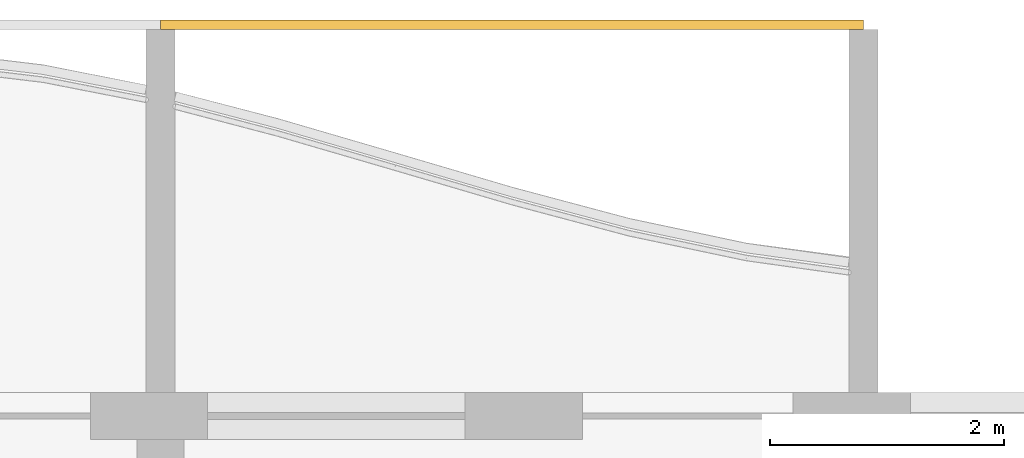
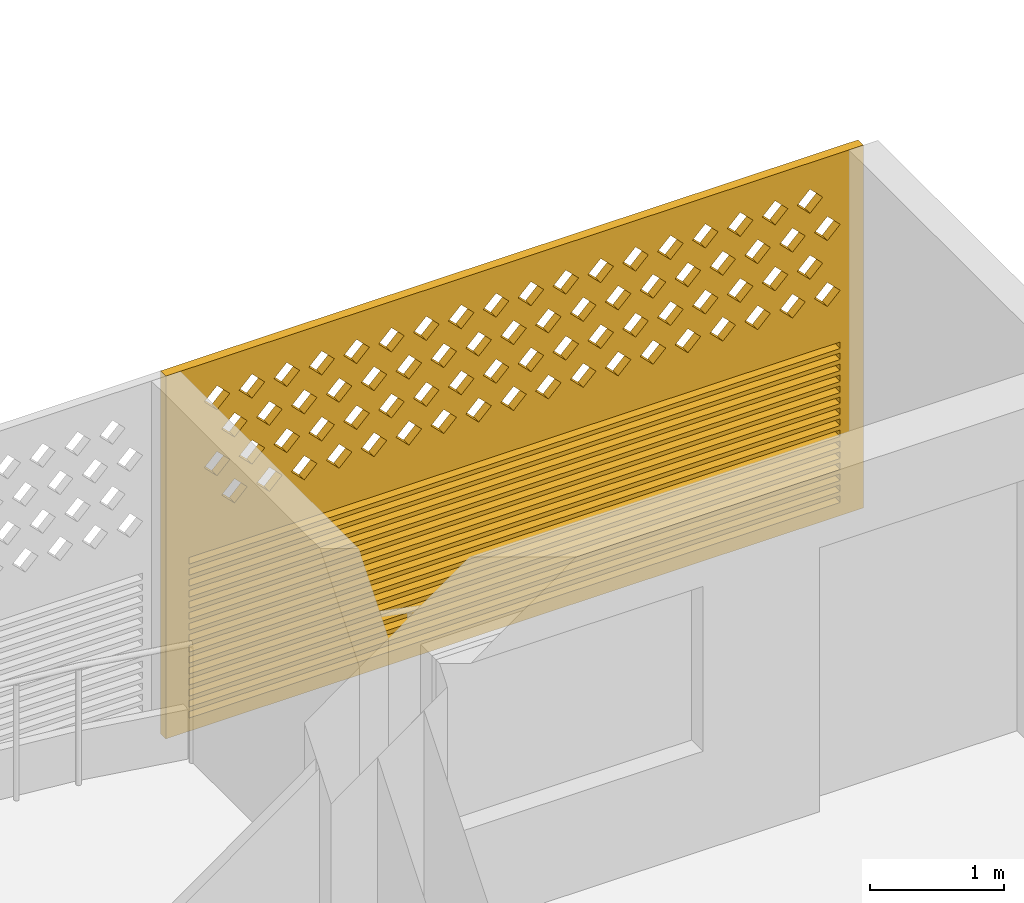
# One storey, part 23 of 40: 1 covering.
"""IFC4 building model written with IfcOpenShell, lengths in metres."""

from ifc_helpers import new_model, si_unit, direction, frame, origin, place, context, subcontext, project, spatial, polyline, outline, extrude, source, transform, mapped, material, material_profile, profile_set, type_object, element, save


model = new_model("IFC4")

# Units and contexts
model_context = context("Model", 3, precision=1e-05, world=origin(), true_north=direction((0.0, 1.0)))
body_context = subcontext(model_context, "Body", "Model", "MODEL_VIEW")
ifc_project = project(units=[si_unit("LENGTHUNIT", "METRE"), si_unit("AREAUNIT", "SQUARE_METRE"), si_unit("VOLUMEUNIT", "CUBIC_METRE"), si_unit("PLANEANGLEUNIT", "RADIAN"), si_unit("MASSUNIT", "GRAM", prefix="KILO")], contexts=[model_context])

# Site, building, storey
site_placement = place(None, origin())
site = spatial("IfcSite", under=ifc_project, at=site_placement, CompositionType="ELEMENT")
building_placement = place(site_placement, origin())
building = spatial("IfcBuilding", under=site, at=building_placement, Name="Poui Terraces", CompositionType="ELEMENT")
storey_placement = place(building_placement, frame((0.0, 0.0, 36.60009765625)))
storey = spatial("IfcBuildingStorey", under=building, at=storey_placement, Name="L09", CompositionType="ELEMENT", Elevation=36.60009765625)

# Covering
ifc_material = material(Name="Terracotta screen", Category="masonry")
ifc_material_profile = material_profile(ifc_material, outline(polyline([(-3.0, -1.64990234375), (3.0, -1.64990234375), (3.0, 1.64990234375), (-3.0, 1.64990234375), (-3.0, -1.64990234375)]), holes=[polyline([(-2.800048828125, 0.39990234375), (-2.68994140625, 0.2900390625), (-2.580078125, 0.39990234375), (-2.68994140625, 0.510009765625), (-2.800048828125, 0.39990234375)]), polyline([(-2.5, 0.39990234375), (-2.389892578125, 0.2900390625), (-2.280029296875, 0.39990234375), (-2.389892578125, 0.510009765625), (-2.5, 0.39990234375)]), polyline([(-2.199951171875, 0.39990234375), (-2.090087890625, 0.2900390625), (-1.97998046875, 0.39990234375), (-2.090087890625, 0.510009765625), (-2.199951171875, 0.39990234375)]), polyline([(-1.89990234375, 0.39990234375), (-1.7900390625, 0.2900390625), (-1.679931640625, 0.39990234375), (-1.7900390625, 0.510009765625), (-1.89990234375, 0.39990234375)]), polyline([(-1.60009765625, 0.39990234375), (-1.489990234375, 0.2900390625), (-1.3798828125, 0.39990234375), (-1.489990234375, 0.510009765625), (-1.60009765625, 0.39990234375)]), polyline([(-1.300048828125, 0.39990234375), (-1.18994140625, 0.2900390625), (-1.080078125, 0.39990234375), (-1.18994140625, 0.510009765625), (-1.300048828125, 0.39990234375)]), polyline([(-1.0, 0.39990234375), (-0.889892578125, 0.2900390625), (-0.780029296875, 0.39990234375), (-0.889892578125, 0.510009765625), (-1.0, 0.39990234375)]), polyline([(-0.699951171875, 0.39990234375), (-0.590087890625, 0.2900390625), (-0.47998046875, 0.39990234375), (-0.590087890625, 0.510009765625), (-0.699951171875, 0.39990234375)]), polyline([(-0.39990234375, 0.39990234375), (-0.2900390625, 0.2900390625), (-0.179931640625, 0.39990234375), (-0.2900390625, 0.510009765625), (-0.39990234375, 0.39990234375)]), polyline([(-0.10009765625, 0.39990234375), (0.010009765625, 0.2900390625), (0.1201171875, 0.39990234375), (0.010009765625, 0.510009765625), (-0.10009765625, 0.39990234375)]), polyline([(0.199951171875, 0.39990234375), (0.31005859375, 0.2900390625), (0.419921875, 0.39990234375), (0.31005859375, 0.510009765625), (0.199951171875, 0.39990234375)]), polyline([(0.5, 0.39990234375), (0.610107421875, 0.2900390625), (0.719970703125, 0.39990234375), (0.610107421875, 0.510009765625), (0.5, 0.39990234375)]), polyline([(0.800048828125, 0.39990234375), (0.909912109375, 0.2900390625), (1.02001953125, 0.39990234375), (0.909912109375, 0.510009765625), (0.800048828125, 0.39990234375)]), polyline([(1.10009765625, 0.39990234375), (1.2099609375, 0.2900390625), (1.320068359375, 0.39990234375), (1.2099609375, 0.510009765625), (1.10009765625, 0.39990234375)]), polyline([(1.39990234375, 0.39990234375), (1.510009765625, 0.2900390625), (1.6201171875, 0.39990234375), (1.510009765625, 0.510009765625), (1.39990234375, 0.39990234375)]), polyline([(1.699951171875, 0.39990234375), (1.81005859375, 0.2900390625), (1.919921875, 0.39990234375), (1.81005859375, 0.510009765625), (1.699951171875, 0.39990234375)]), polyline([(2.0, 0.39990234375), (2.110107421875, 0.2900390625), (2.219970703125, 0.39990234375), (2.110107421875, 0.510009765625), (2.0, 0.39990234375)]), polyline([(2.300048828125, 0.39990234375), (2.409912109375, 0.2900390625), (2.52001953125, 0.39990234375), (2.409912109375, 0.510009765625), (2.300048828125, 0.39990234375)]), polyline([(-2.64990234375, 0.699951171875), (-2.5400390625, 0.590087890625), (-2.429931640625, 0.699951171875), (-2.5400390625, 0.81005859375), (-2.64990234375, 0.699951171875)]), polyline([(-2.35009765625, 0.699951171875), (-2.239990234375, 0.590087890625), (-2.1298828125, 0.699951171875), (-2.239990234375, 0.81005859375), (-2.35009765625, 0.699951171875)]), polyline([(-2.050048828125, 0.699951171875), (-1.93994140625, 0.590087890625), (-1.830078125, 0.699951171875), (-1.93994140625, 0.81005859375), (-2.050048828125, 0.699951171875)]), polyline([(-1.75, 0.699951171875), (-1.639892578125, 0.590087890625), (-1.530029296875, 0.699951171875), (-1.639892578125, 0.81005859375), (-1.75, 0.699951171875)]), polyline([(-1.449951171875, 0.699951171875), (-1.340087890625, 0.590087890625), (-1.22998046875, 0.699951171875), (-1.340087890625, 0.81005859375), (-1.449951171875, 0.699951171875)]), polyline([(-1.14990234375, 0.699951171875), (-1.0400390625, 0.590087890625), (-0.929931640625, 0.699951171875), (-1.0400390625, 0.81005859375), (-1.14990234375, 0.699951171875)]), polyline([(-0.85009765625, 0.699951171875), (-0.739990234375, 0.590087890625), (-0.6298828125, 0.699951171875), (-0.739990234375, 0.81005859375), (-0.85009765625, 0.699951171875)]), polyline([(-0.550048828125, 0.699951171875), (-0.43994140625, 0.590087890625), (-0.330078125, 0.699951171875), (-0.43994140625, 0.81005859375), (-0.550048828125, 0.699951171875)]), polyline([(-0.25, 0.699951171875), (-0.139892578125, 0.590087890625), (-0.030029296875, 0.699951171875), (-0.139892578125, 0.81005859375), (-0.25, 0.699951171875)]), polyline([(0.050048828125, 0.699951171875), (0.159912109375, 0.590087890625), (0.27001953125, 0.699951171875), (0.159912109375, 0.81005859375), (0.050048828125, 0.699951171875)]), polyline([(0.35009765625, 0.699951171875), (0.4599609375, 0.590087890625), (0.570068359375, 0.699951171875), (0.4599609375, 0.81005859375), (0.35009765625, 0.699951171875)]), polyline([(0.64990234375, 0.699951171875), (0.760009765625, 0.590087890625), (0.8701171875, 0.699951171875), (0.760009765625, 0.81005859375), (0.64990234375, 0.699951171875)]), polyline([(0.949951171875, 0.699951171875), (1.06005859375, 0.590087890625), (1.169921875, 0.699951171875), (1.06005859375, 0.81005859375), (0.949951171875, 0.699951171875)]), polyline([(1.25, 0.699951171875), (1.360107421875, 0.590087890625), (1.469970703125, 0.699951171875), (1.360107421875, 0.81005859375), (1.25, 0.699951171875)]), polyline([(1.550048828125, 0.699951171875), (1.659912109375, 0.590087890625), (1.77001953125, 0.699951171875), (1.659912109375, 0.81005859375), (1.550048828125, 0.699951171875)]), polyline([(1.85009765625, 0.699951171875), (1.9599609375, 0.590087890625), (2.070068359375, 0.699951171875), (1.9599609375, 0.81005859375), (1.85009765625, 0.699951171875)]), polyline([(2.14990234375, 0.699951171875), (2.260009765625, 0.590087890625), (2.3701171875, 0.699951171875), (2.260009765625, 0.81005859375), (2.14990234375, 0.699951171875)]), polyline([(2.449951171875, 0.699951171875), (2.56005859375, 0.590087890625), (2.669921875, 0.699951171875), (2.56005859375, 0.81005859375), (2.449951171875, 0.699951171875)]), polyline([(-2.800048828125, 1.0), (-2.68994140625, 0.889892578125), (-2.580078125, 1.0), (-2.68994140625, 1.110107421875), (-2.800048828125, 1.0)]), polyline([(-2.5, 1.0), (-2.389892578125, 0.889892578125), (-2.280029296875, 1.0), (-2.389892578125, 1.110107421875), (-2.5, 1.0)]), polyline([(-2.199951171875, 1.0), (-2.090087890625, 0.889892578125), (-1.97998046875, 1.0), (-2.090087890625, 1.110107421875), (-2.199951171875, 1.0)]), polyline([(-1.89990234375, 1.0), (-1.7900390625, 0.889892578125), (-1.679931640625, 1.0), (-1.7900390625, 1.110107421875), (-1.89990234375, 1.0)]), polyline([(-1.60009765625, 1.0), (-1.489990234375, 0.889892578125), (-1.3798828125, 1.0), (-1.489990234375, 1.110107421875), (-1.60009765625, 1.0)]), polyline([(-1.300048828125, 1.0), (-1.18994140625, 0.889892578125), (-1.080078125, 1.0), (-1.18994140625, 1.110107421875), (-1.300048828125, 1.0)]), polyline([(-1.0, 1.0), (-0.889892578125, 0.889892578125), (-0.780029296875, 1.0), (-0.889892578125, 1.110107421875), (-1.0, 1.0)]), polyline([(-0.699951171875, 1.0), (-0.590087890625, 0.889892578125), (-0.47998046875, 1.0), (-0.590087890625, 1.110107421875), (-0.699951171875, 1.0)]), polyline([(-0.39990234375, 1.0), (-0.2900390625, 0.889892578125), (-0.179931640625, 1.0), (-0.2900390625, 1.110107421875), (-0.39990234375, 1.0)]), polyline([(-0.10009765625, 1.0), (0.010009765625, 0.889892578125), (0.1201171875, 1.0), (0.010009765625, 1.110107421875), (-0.10009765625, 1.0)]), polyline([(0.199951171875, 1.0), (0.31005859375, 0.889892578125), (0.419921875, 1.0), (0.31005859375, 1.110107421875), (0.199951171875, 1.0)]), polyline([(0.5, 1.0), (0.610107421875, 0.889892578125), (0.719970703125, 1.0), (0.610107421875, 1.110107421875), (0.5, 1.0)]), polyline([(0.800048828125, 1.0), (0.909912109375, 0.889892578125), (1.02001953125, 1.0), (0.909912109375, 1.110107421875), (0.800048828125, 1.0)]), polyline([(1.10009765625, 1.0), (1.2099609375, 0.889892578125), (1.320068359375, 1.0), (1.2099609375, 1.110107421875), (1.10009765625, 1.0)]), polyline([(1.39990234375, 1.0), (1.510009765625, 0.889892578125), (1.6201171875, 1.0), (1.510009765625, 1.110107421875), (1.39990234375, 1.0)]), polyline([(1.699951171875, 1.0), (1.81005859375, 0.889892578125), (1.919921875, 1.0), (1.81005859375, 1.110107421875), (1.699951171875, 1.0)]), polyline([(2.0, 1.0), (2.110107421875, 0.889892578125), (2.219970703125, 1.0), (2.110107421875, 1.110107421875), (2.0, 1.0)]), polyline([(2.300048828125, 1.0), (2.409912109375, 0.889892578125), (2.52001953125, 1.0), (2.409912109375, 1.110107421875), (2.300048828125, 1.0)]), polyline([(-2.64990234375, 1.300048828125), (-2.5400390625, 1.18994140625), (-2.429931640625, 1.300048828125), (-2.5400390625, 1.409912109375), (-2.64990234375, 1.300048828125)]), polyline([(-2.35009765625, 1.300048828125), (-2.239990234375, 1.18994140625), (-2.1298828125, 1.300048828125), (-2.239990234375, 1.409912109375), (-2.35009765625, 1.300048828125)]), polyline([(-2.050048828125, 1.300048828125), (-1.93994140625, 1.18994140625), (-1.830078125, 1.300048828125), (-1.93994140625, 1.409912109375), (-2.050048828125, 1.300048828125)]), polyline([(-1.75, 1.300048828125), (-1.639892578125, 1.18994140625), (-1.530029296875, 1.300048828125), (-1.639892578125, 1.409912109375), (-1.75, 1.300048828125)]), polyline([(-1.449951171875, 1.300048828125), (-1.340087890625, 1.18994140625), (-1.22998046875, 1.300048828125), (-1.340087890625, 1.409912109375), (-1.449951171875, 1.300048828125)]), polyline([(-1.14990234375, 1.300048828125), (-1.0400390625, 1.18994140625), (-0.929931640625, 1.300048828125), (-1.0400390625, 1.409912109375), (-1.14990234375, 1.300048828125)]), polyline([(-0.85009765625, 1.300048828125), (-0.739990234375, 1.18994140625), (-0.6298828125, 1.300048828125), (-0.739990234375, 1.409912109375), (-0.85009765625, 1.300048828125)]), polyline([(-0.550048828125, 1.300048828125), (-0.43994140625, 1.18994140625), (-0.330078125, 1.300048828125), (-0.43994140625, 1.409912109375), (-0.550048828125, 1.300048828125)]), polyline([(-0.25, 1.300048828125), (-0.139892578125, 1.18994140625), (-0.030029296875, 1.300048828125), (-0.139892578125, 1.409912109375), (-0.25, 1.300048828125)]), polyline([(0.050048828125, 1.300048828125), (0.159912109375, 1.18994140625), (0.27001953125, 1.300048828125), (0.159912109375, 1.409912109375), (0.050048828125, 1.300048828125)]), polyline([(0.35009765625, 1.300048828125), (0.4599609375, 1.18994140625), (0.570068359375, 1.300048828125), (0.4599609375, 1.409912109375), (0.35009765625, 1.300048828125)]), polyline([(0.64990234375, 1.300048828125), (0.760009765625, 1.18994140625), (0.8701171875, 1.300048828125), (0.760009765625, 1.409912109375), (0.64990234375, 1.300048828125)]), polyline([(0.949951171875, 1.300048828125), (1.06005859375, 1.18994140625), (1.169921875, 1.300048828125), (1.06005859375, 1.409912109375), (0.949951171875, 1.300048828125)]), polyline([(1.25, 1.300048828125), (1.360107421875, 1.18994140625), (1.469970703125, 1.300048828125), (1.360107421875, 1.409912109375), (1.25, 1.300048828125)]), polyline([(1.550048828125, 1.300048828125), (1.659912109375, 1.18994140625), (1.77001953125, 1.300048828125), (1.659912109375, 1.409912109375), (1.550048828125, 1.300048828125)]), polyline([(1.85009765625, 1.300048828125), (1.9599609375, 1.18994140625), (2.070068359375, 1.300048828125), (1.9599609375, 1.409912109375), (1.85009765625, 1.300048828125)]), polyline([(2.14990234375, 1.300048828125), (2.260009765625, 1.18994140625), (2.3701171875, 1.300048828125), (2.260009765625, 1.409912109375), (2.14990234375, 1.300048828125)]), polyline([(2.449951171875, 1.300048828125), (2.56005859375, 1.18994140625), (2.669921875, 1.300048828125), (2.56005859375, 1.409912109375), (2.449951171875, 1.300048828125)]), polyline([(-2.800048828125, -1.530029296875), (2.800048828125, -1.530029296875), (2.800048828125, -1.469970703125), (-2.800048828125, -1.469970703125), (-2.800048828125, -1.530029296875)]), polyline([(-2.800048828125, -1.429931640625), (2.800048828125, -1.429931640625), (2.800048828125, -1.3701171875), (-2.800048828125, -1.3701171875), (-2.800048828125, -1.429931640625)]), polyline([(-2.800048828125, -1.330078125), (2.800048828125, -1.330078125), (2.800048828125, -1.27001953125), (-2.800048828125, -1.27001953125), (-2.800048828125, -1.330078125)]), polyline([(-2.800048828125, -1.22998046875), (2.800048828125, -1.22998046875), (2.800048828125, -1.169921875), (-2.800048828125, -1.169921875), (-2.800048828125, -1.22998046875)]), polyline([(-2.800048828125, -1.1298828125), (2.800048828125, -1.1298828125), (2.800048828125, -1.070068359375), (-2.800048828125, -1.070068359375), (-2.800048828125, -1.1298828125)]), polyline([(-2.800048828125, -1.030029296875), (2.800048828125, -1.030029296875), (2.800048828125, -0.969970703125), (-2.800048828125, -0.969970703125), (-2.800048828125, -1.030029296875)]), polyline([(-2.800048828125, -0.929931640625), (2.800048828125, -0.929931640625), (2.800048828125, -0.8701171875), (-2.800048828125, -0.8701171875), (-2.800048828125, -0.929931640625)]), polyline([(-2.800048828125, -0.830078125), (2.800048828125, -0.830078125), (2.800048828125, -0.77001953125), (-2.800048828125, -0.77001953125), (-2.800048828125, -0.830078125)]), polyline([(-2.800048828125, -0.72998046875), (2.800048828125, -0.72998046875), (2.800048828125, -0.669921875), (-2.800048828125, -0.669921875), (-2.800048828125, -0.72998046875)]), polyline([(-2.800048828125, -0.6298828125), (2.800048828125, -0.6298828125), (2.800048828125, -0.570068359375), (-2.800048828125, -0.570068359375), (-2.800048828125, -0.6298828125)]), polyline([(-2.800048828125, -0.530029296875), (2.800048828125, -0.530029296875), (2.800048828125, -0.469970703125), (-2.800048828125, -0.469970703125), (-2.800048828125, -0.530029296875)]), polyline([(-2.800048828125, -0.429931640625), (2.800048828125, -0.429931640625), (2.800048828125, -0.3701171875), (-2.800048828125, -0.3701171875), (-2.800048828125, -0.429931640625)]), polyline([(-2.800048828125, -0.330078125), (2.800048828125, -0.330078125), (2.800048828125, -0.27001953125), (-2.800048828125, -0.27001953125), (-2.800048828125, -0.330078125)]), polyline([(-2.800048828125, -0.22998046875), (2.800048828125, -0.22998046875), (2.800048828125, -0.169921875), (-2.800048828125, -0.169921875), (-2.800048828125, -0.22998046875)]), polyline([(-2.800048828125, -0.1298828125), (2.800048828125, -0.1298828125), (2.800048828125, -0.070068359375), (-2.800048828125, -0.070068359375), (-2.800048828125, -0.1298828125)])]), Name="TERRACOTTA SCREEN AND JALOUSIE LOUVRE 6000X3300")
ifc_profile_set = profile_set([ifc_material_profile], Name="Terracotta screen")
covering_type = type_object("IfcCoveringType", Name="TERRACOTTA SCREEN AND JALOUSIE LOUVRE 6000X3300", PredefinedType="CLADDING", material=ifc_profile_set)
shared_shape = source(origin(), body_context, "Body", "SweptSolid", [
    extrude(outline(polyline([(-3.0, -1.64990234375), (3.0, -1.64990234375), (3.0, 1.64990234375), (-3.0, 1.64990234375), (-3.0, -1.64990234375)]), holes=[polyline([(-2.800048828125, 0.39990234375), (-2.68994140625, 0.2900390625), (-2.580078125, 0.39990234375), (-2.68994140625, 0.510009765625), (-2.800048828125, 0.39990234375)]), polyline([(-2.5, 0.39990234375), (-2.389892578125, 0.2900390625), (-2.280029296875, 0.39990234375), (-2.389892578125, 0.510009765625), (-2.5, 0.39990234375)]), polyline([(-2.199951171875, 0.39990234375), (-2.090087890625, 0.2900390625), (-1.97998046875, 0.39990234375), (-2.090087890625, 0.510009765625), (-2.199951171875, 0.39990234375)]), polyline([(-1.89990234375, 0.39990234375), (-1.7900390625, 0.2900390625), (-1.679931640625, 0.39990234375), (-1.7900390625, 0.510009765625), (-1.89990234375, 0.39990234375)]), polyline([(-1.60009765625, 0.39990234375), (-1.489990234375, 0.2900390625), (-1.3798828125, 0.39990234375), (-1.489990234375, 0.510009765625), (-1.60009765625, 0.39990234375)]), polyline([(-1.300048828125, 0.39990234375), (-1.18994140625, 0.2900390625), (-1.080078125, 0.39990234375), (-1.18994140625, 0.510009765625), (-1.300048828125, 0.39990234375)]), polyline([(-1.0, 0.39990234375), (-0.889892578125, 0.2900390625), (-0.780029296875, 0.39990234375), (-0.889892578125, 0.510009765625), (-1.0, 0.39990234375)]), polyline([(-0.699951171875, 0.39990234375), (-0.590087890625, 0.2900390625), (-0.47998046875, 0.39990234375), (-0.590087890625, 0.510009765625), (-0.699951171875, 0.39990234375)]), polyline([(-0.39990234375, 0.39990234375), (-0.2900390625, 0.2900390625), (-0.179931640625, 0.39990234375), (-0.2900390625, 0.510009765625), (-0.39990234375, 0.39990234375)]), polyline([(-0.10009765625, 0.39990234375), (0.010009765625, 0.2900390625), (0.1201171875, 0.39990234375), (0.010009765625, 0.510009765625), (-0.10009765625, 0.39990234375)]), polyline([(0.199951171875, 0.39990234375), (0.31005859375, 0.2900390625), (0.419921875, 0.39990234375), (0.31005859375, 0.510009765625), (0.199951171875, 0.39990234375)]), polyline([(0.5, 0.39990234375), (0.610107421875, 0.2900390625), (0.719970703125, 0.39990234375), (0.610107421875, 0.510009765625), (0.5, 0.39990234375)]), polyline([(0.800048828125, 0.39990234375), (0.909912109375, 0.2900390625), (1.02001953125, 0.39990234375), (0.909912109375, 0.510009765625), (0.800048828125, 0.39990234375)]), polyline([(1.10009765625, 0.39990234375), (1.2099609375, 0.2900390625), (1.320068359375, 0.39990234375), (1.2099609375, 0.510009765625), (1.10009765625, 0.39990234375)]), polyline([(1.39990234375, 0.39990234375), (1.510009765625, 0.2900390625), (1.6201171875, 0.39990234375), (1.510009765625, 0.510009765625), (1.39990234375, 0.39990234375)]), polyline([(1.699951171875, 0.39990234375), (1.81005859375, 0.2900390625), (1.919921875, 0.39990234375), (1.81005859375, 0.510009765625), (1.699951171875, 0.39990234375)]), polyline([(2.0, 0.39990234375), (2.110107421875, 0.2900390625), (2.219970703125, 0.39990234375), (2.110107421875, 0.510009765625), (2.0, 0.39990234375)]), polyline([(2.300048828125, 0.39990234375), (2.409912109375, 0.2900390625), (2.52001953125, 0.39990234375), (2.409912109375, 0.510009765625), (2.300048828125, 0.39990234375)]), polyline([(-2.64990234375, 0.699951171875), (-2.5400390625, 0.590087890625), (-2.429931640625, 0.699951171875), (-2.5400390625, 0.81005859375), (-2.64990234375, 0.699951171875)]), polyline([(-2.35009765625, 0.699951171875), (-2.239990234375, 0.590087890625), (-2.1298828125, 0.699951171875), (-2.239990234375, 0.81005859375), (-2.35009765625, 0.699951171875)]), polyline([(-2.050048828125, 0.699951171875), (-1.93994140625, 0.590087890625), (-1.830078125, 0.699951171875), (-1.93994140625, 0.81005859375), (-2.050048828125, 0.699951171875)]), polyline([(-1.75, 0.699951171875), (-1.639892578125, 0.590087890625), (-1.530029296875, 0.699951171875), (-1.639892578125, 0.81005859375), (-1.75, 0.699951171875)]), polyline([(-1.449951171875, 0.699951171875), (-1.340087890625, 0.590087890625), (-1.22998046875, 0.699951171875), (-1.340087890625, 0.81005859375), (-1.449951171875, 0.699951171875)]), polyline([(-1.14990234375, 0.699951171875), (-1.0400390625, 0.590087890625), (-0.929931640625, 0.699951171875), (-1.0400390625, 0.81005859375), (-1.14990234375, 0.699951171875)]), polyline([(-0.85009765625, 0.699951171875), (-0.739990234375, 0.590087890625), (-0.6298828125, 0.699951171875), (-0.739990234375, 0.81005859375), (-0.85009765625, 0.699951171875)]), polyline([(-0.550048828125, 0.699951171875), (-0.43994140625, 0.590087890625), (-0.330078125, 0.699951171875), (-0.43994140625, 0.81005859375), (-0.550048828125, 0.699951171875)]), polyline([(-0.25, 0.699951171875), (-0.139892578125, 0.590087890625), (-0.030029296875, 0.699951171875), (-0.139892578125, 0.81005859375), (-0.25, 0.699951171875)]), polyline([(0.050048828125, 0.699951171875), (0.159912109375, 0.590087890625), (0.27001953125, 0.699951171875), (0.159912109375, 0.81005859375), (0.050048828125, 0.699951171875)]), polyline([(0.35009765625, 0.699951171875), (0.4599609375, 0.590087890625), (0.570068359375, 0.699951171875), (0.4599609375, 0.81005859375), (0.35009765625, 0.699951171875)]), polyline([(0.64990234375, 0.699951171875), (0.760009765625, 0.590087890625), (0.8701171875, 0.699951171875), (0.760009765625, 0.81005859375), (0.64990234375, 0.699951171875)]), polyline([(0.949951171875, 0.699951171875), (1.06005859375, 0.590087890625), (1.169921875, 0.699951171875), (1.06005859375, 0.81005859375), (0.949951171875, 0.699951171875)]), polyline([(1.25, 0.699951171875), (1.360107421875, 0.590087890625), (1.469970703125, 0.699951171875), (1.360107421875, 0.81005859375), (1.25, 0.699951171875)]), polyline([(1.550048828125, 0.699951171875), (1.659912109375, 0.590087890625), (1.77001953125, 0.699951171875), (1.659912109375, 0.81005859375), (1.550048828125, 0.699951171875)]), polyline([(1.85009765625, 0.699951171875), (1.9599609375, 0.590087890625), (2.070068359375, 0.699951171875), (1.9599609375, 0.81005859375), (1.85009765625, 0.699951171875)]), polyline([(2.14990234375, 0.699951171875), (2.260009765625, 0.590087890625), (2.3701171875, 0.699951171875), (2.260009765625, 0.81005859375), (2.14990234375, 0.699951171875)]), polyline([(2.449951171875, 0.699951171875), (2.56005859375, 0.590087890625), (2.669921875, 0.699951171875), (2.56005859375, 0.81005859375), (2.449951171875, 0.699951171875)]), polyline([(-2.800048828125, 1.0), (-2.68994140625, 0.889892578125), (-2.580078125, 1.0), (-2.68994140625, 1.110107421875), (-2.800048828125, 1.0)]), polyline([(-2.5, 1.0), (-2.389892578125, 0.889892578125), (-2.280029296875, 1.0), (-2.389892578125, 1.110107421875), (-2.5, 1.0)]), polyline([(-2.199951171875, 1.0), (-2.090087890625, 0.889892578125), (-1.97998046875, 1.0), (-2.090087890625, 1.110107421875), (-2.199951171875, 1.0)]), polyline([(-1.89990234375, 1.0), (-1.7900390625, 0.889892578125), (-1.679931640625, 1.0), (-1.7900390625, 1.110107421875), (-1.89990234375, 1.0)]), polyline([(-1.60009765625, 1.0), (-1.489990234375, 0.889892578125), (-1.3798828125, 1.0), (-1.489990234375, 1.110107421875), (-1.60009765625, 1.0)]), polyline([(-1.300048828125, 1.0), (-1.18994140625, 0.889892578125), (-1.080078125, 1.0), (-1.18994140625, 1.110107421875), (-1.300048828125, 1.0)]), polyline([(-1.0, 1.0), (-0.889892578125, 0.889892578125), (-0.780029296875, 1.0), (-0.889892578125, 1.110107421875), (-1.0, 1.0)]), polyline([(-0.699951171875, 1.0), (-0.590087890625, 0.889892578125), (-0.47998046875, 1.0), (-0.590087890625, 1.110107421875), (-0.699951171875, 1.0)]), polyline([(-0.39990234375, 1.0), (-0.2900390625, 0.889892578125), (-0.179931640625, 1.0), (-0.2900390625, 1.110107421875), (-0.39990234375, 1.0)]), polyline([(-0.10009765625, 1.0), (0.010009765625, 0.889892578125), (0.1201171875, 1.0), (0.010009765625, 1.110107421875), (-0.10009765625, 1.0)]), polyline([(0.199951171875, 1.0), (0.31005859375, 0.889892578125), (0.419921875, 1.0), (0.31005859375, 1.110107421875), (0.199951171875, 1.0)]), polyline([(0.5, 1.0), (0.610107421875, 0.889892578125), (0.719970703125, 1.0), (0.610107421875, 1.110107421875), (0.5, 1.0)]), polyline([(0.800048828125, 1.0), (0.909912109375, 0.889892578125), (1.02001953125, 1.0), (0.909912109375, 1.110107421875), (0.800048828125, 1.0)]), polyline([(1.10009765625, 1.0), (1.2099609375, 0.889892578125), (1.320068359375, 1.0), (1.2099609375, 1.110107421875), (1.10009765625, 1.0)]), polyline([(1.39990234375, 1.0), (1.510009765625, 0.889892578125), (1.6201171875, 1.0), (1.510009765625, 1.110107421875), (1.39990234375, 1.0)]), polyline([(1.699951171875, 1.0), (1.81005859375, 0.889892578125), (1.919921875, 1.0), (1.81005859375, 1.110107421875), (1.699951171875, 1.0)]), polyline([(2.0, 1.0), (2.110107421875, 0.889892578125), (2.219970703125, 1.0), (2.110107421875, 1.110107421875), (2.0, 1.0)]), polyline([(2.300048828125, 1.0), (2.409912109375, 0.889892578125), (2.52001953125, 1.0), (2.409912109375, 1.110107421875), (2.300048828125, 1.0)]), polyline([(-2.64990234375, 1.300048828125), (-2.5400390625, 1.18994140625), (-2.429931640625, 1.300048828125), (-2.5400390625, 1.409912109375), (-2.64990234375, 1.300048828125)]), polyline([(-2.35009765625, 1.300048828125), (-2.239990234375, 1.18994140625), (-2.1298828125, 1.300048828125), (-2.239990234375, 1.409912109375), (-2.35009765625, 1.300048828125)]), polyline([(-2.050048828125, 1.300048828125), (-1.93994140625, 1.18994140625), (-1.830078125, 1.300048828125), (-1.93994140625, 1.409912109375), (-2.050048828125, 1.300048828125)]), polyline([(-1.75, 1.300048828125), (-1.639892578125, 1.18994140625), (-1.530029296875, 1.300048828125), (-1.639892578125, 1.409912109375), (-1.75, 1.300048828125)]), polyline([(-1.449951171875, 1.300048828125), (-1.340087890625, 1.18994140625), (-1.22998046875, 1.300048828125), (-1.340087890625, 1.409912109375), (-1.449951171875, 1.300048828125)]), polyline([(-1.14990234375, 1.300048828125), (-1.0400390625, 1.18994140625), (-0.929931640625, 1.300048828125), (-1.0400390625, 1.409912109375), (-1.14990234375, 1.300048828125)]), polyline([(-0.85009765625, 1.300048828125), (-0.739990234375, 1.18994140625), (-0.6298828125, 1.300048828125), (-0.739990234375, 1.409912109375), (-0.85009765625, 1.300048828125)]), polyline([(-0.550048828125, 1.300048828125), (-0.43994140625, 1.18994140625), (-0.330078125, 1.300048828125), (-0.43994140625, 1.409912109375), (-0.550048828125, 1.300048828125)]), polyline([(-0.25, 1.300048828125), (-0.139892578125, 1.18994140625), (-0.030029296875, 1.300048828125), (-0.139892578125, 1.409912109375), (-0.25, 1.300048828125)]), polyline([(0.050048828125, 1.300048828125), (0.159912109375, 1.18994140625), (0.27001953125, 1.300048828125), (0.159912109375, 1.409912109375), (0.050048828125, 1.300048828125)]), polyline([(0.35009765625, 1.300048828125), (0.4599609375, 1.18994140625), (0.570068359375, 1.300048828125), (0.4599609375, 1.409912109375), (0.35009765625, 1.300048828125)]), polyline([(0.64990234375, 1.300048828125), (0.760009765625, 1.18994140625), (0.8701171875, 1.300048828125), (0.760009765625, 1.409912109375), (0.64990234375, 1.300048828125)]), polyline([(0.949951171875, 1.300048828125), (1.06005859375, 1.18994140625), (1.169921875, 1.300048828125), (1.06005859375, 1.409912109375), (0.949951171875, 1.300048828125)]), polyline([(1.25, 1.300048828125), (1.360107421875, 1.18994140625), (1.469970703125, 1.300048828125), (1.360107421875, 1.409912109375), (1.25, 1.300048828125)]), polyline([(1.550048828125, 1.300048828125), (1.659912109375, 1.18994140625), (1.77001953125, 1.300048828125), (1.659912109375, 1.409912109375), (1.550048828125, 1.300048828125)]), polyline([(1.85009765625, 1.300048828125), (1.9599609375, 1.18994140625), (2.070068359375, 1.300048828125), (1.9599609375, 1.409912109375), (1.85009765625, 1.300048828125)]), polyline([(2.14990234375, 1.300048828125), (2.260009765625, 1.18994140625), (2.3701171875, 1.300048828125), (2.260009765625, 1.409912109375), (2.14990234375, 1.300048828125)]), polyline([(2.449951171875, 1.300048828125), (2.56005859375, 1.18994140625), (2.669921875, 1.300048828125), (2.56005859375, 1.409912109375), (2.449951171875, 1.300048828125)]), polyline([(-2.800048828125, -1.530029296875), (2.800048828125, -1.530029296875), (2.800048828125, -1.469970703125), (-2.800048828125, -1.469970703125), (-2.800048828125, -1.530029296875)]), polyline([(-2.800048828125, -1.429931640625), (2.800048828125, -1.429931640625), (2.800048828125, -1.3701171875), (-2.800048828125, -1.3701171875), (-2.800048828125, -1.429931640625)]), polyline([(-2.800048828125, -1.330078125), (2.800048828125, -1.330078125), (2.800048828125, -1.27001953125), (-2.800048828125, -1.27001953125), (-2.800048828125, -1.330078125)]), polyline([(-2.800048828125, -1.22998046875), (2.800048828125, -1.22998046875), (2.800048828125, -1.169921875), (-2.800048828125, -1.169921875), (-2.800048828125, -1.22998046875)]), polyline([(-2.800048828125, -1.1298828125), (2.800048828125, -1.1298828125), (2.800048828125, -1.070068359375), (-2.800048828125, -1.070068359375), (-2.800048828125, -1.1298828125)]), polyline([(-2.800048828125, -1.030029296875), (2.800048828125, -1.030029296875), (2.800048828125, -0.969970703125), (-2.800048828125, -0.969970703125), (-2.800048828125, -1.030029296875)]), polyline([(-2.800048828125, -0.929931640625), (2.800048828125, -0.929931640625), (2.800048828125, -0.8701171875), (-2.800048828125, -0.8701171875), (-2.800048828125, -0.929931640625)]), polyline([(-2.800048828125, -0.830078125), (2.800048828125, -0.830078125), (2.800048828125, -0.77001953125), (-2.800048828125, -0.77001953125), (-2.800048828125, -0.830078125)]), polyline([(-2.800048828125, -0.72998046875), (2.800048828125, -0.72998046875), (2.800048828125, -0.669921875), (-2.800048828125, -0.669921875), (-2.800048828125, -0.72998046875)]), polyline([(-2.800048828125, -0.6298828125), (2.800048828125, -0.6298828125), (2.800048828125, -0.570068359375), (-2.800048828125, -0.570068359375), (-2.800048828125, -0.6298828125)]), polyline([(-2.800048828125, -0.530029296875), (2.800048828125, -0.530029296875), (2.800048828125, -0.469970703125), (-2.800048828125, -0.469970703125), (-2.800048828125, -0.530029296875)]), polyline([(-2.800048828125, -0.429931640625), (2.800048828125, -0.429931640625), (2.800048828125, -0.3701171875), (-2.800048828125, -0.3701171875), (-2.800048828125, -0.429931640625)]), polyline([(-2.800048828125, -0.330078125), (2.800048828125, -0.330078125), (2.800048828125, -0.27001953125), (-2.800048828125, -0.27001953125), (-2.800048828125, -0.330078125)]), polyline([(-2.800048828125, -0.22998046875), (2.800048828125, -0.22998046875), (2.800048828125, -0.169921875), (-2.800048828125, -0.169921875), (-2.800048828125, -0.22998046875)]), polyline([(-2.800048828125, -0.1298828125), (2.800048828125, -0.1298828125), (2.800048828125, -0.070068359375), (-2.800048828125, -0.070068359375), (-2.800048828125, -0.1298828125)])]), origin(), (0.0, 0.0, 1.0), 0.079833984375),
])
covering_placement = place(storey_placement, frame((15.0, 48.10009765625, 1.449951171875), z_axis=(0.0, 1.0, 0.0), x_axis=(-1.0, 0.0, 0.0)))
element("IfcCovering", 1, at=covering_placement, inside=storey, type_object=covering_type, Name="SOLAR SCREEN AND JALOUSIE LOUVRE", PredefinedType="CLADDING", context=body_context, shape_type="MappedRepresentation", body=[
    mapped(shared_shape, transform((0.0, 0.0, 0.0))),
])

save(model, "model.ifc")
